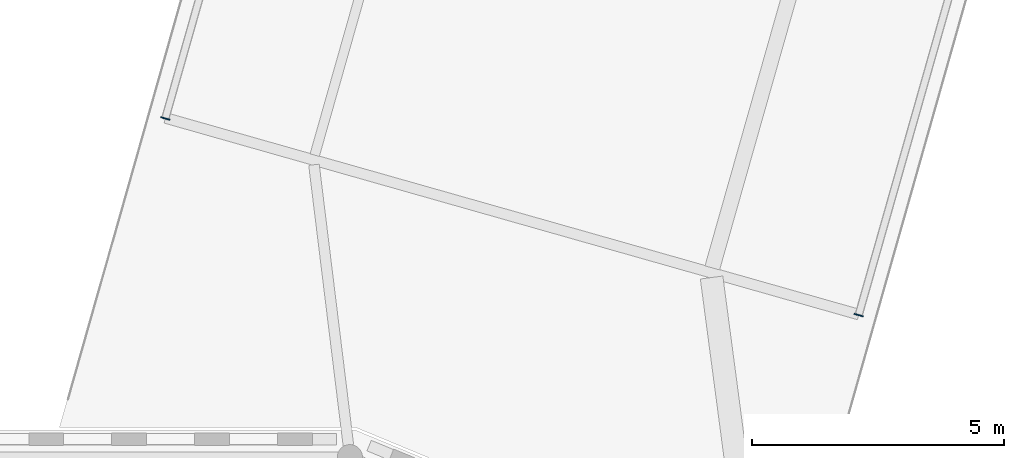
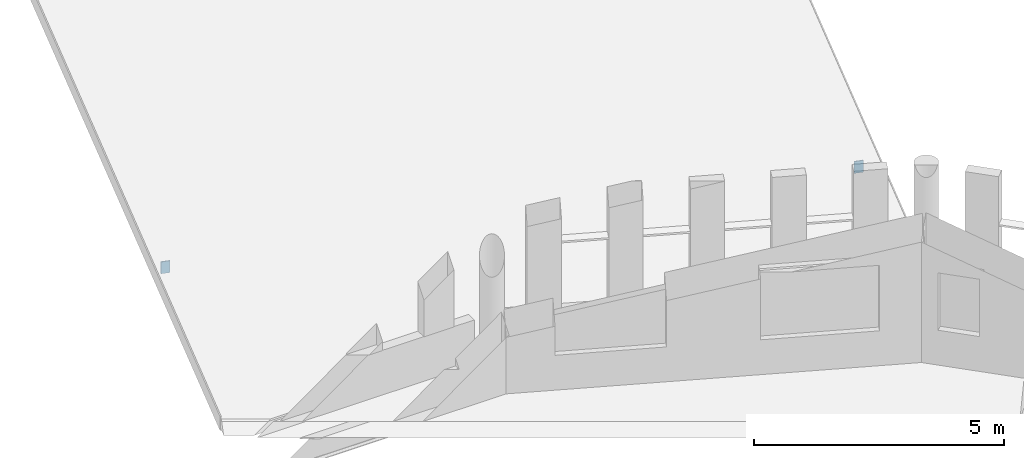
# One storey, part 33 of 68: 2 plates.
"""IFC4 building model written with IfcOpenShell, lengths in metres."""

from ifc_helpers import new_model, si_unit, direction, frame, origin, origin_2d, place, context, subcontext, project, spatial, rectangle, extrude, material, layer, layer_set, type_object, element, save


model = new_model("IFC4")

# Units and contexts
model_context = context("Model", 3, precision=1e-05, world=origin(), true_north=direction((0.0, 1.0)))
body_context = subcontext(model_context, "Body", "Model", "MODEL_VIEW")
ifc_project = project(units=[si_unit("LENGTHUNIT", "METRE"), si_unit("AREAUNIT", "SQUARE_METRE"), si_unit("VOLUMEUNIT", "CUBIC_METRE"), si_unit("PLANEANGLEUNIT", "RADIAN"), si_unit("MASSUNIT", "GRAM", prefix="KILO")], contexts=[model_context])

# Site, building, storey
site_placement = place(None, origin())
site = spatial("IfcSite", under=ifc_project, at=site_placement, CompositionType="ELEMENT")
building_placement = place(site_placement, origin())
building = spatial("IfcBuilding", under=site, at=building_placement, Name="Wrenclough Park School", CompositionType="ELEMENT")
storey_placement = place(building_placement, frame((0.0, 0.0, 12.60009765625)))
storey = spatial("IfcBuildingStorey", under=building, at=storey_placement, Name="L03", CompositionType="ELEMENT", Elevation=12.60009765625)

# Plates
ifc_material = material(Name="Structural steel S355", Category="steel")
ifc_layer = layer(ifc_material, 0.2900390625)
ifc_layer_set = layer_set([ifc_layer], Name="Structural steel S355")
plate_type = type_object("IfcPlateType", Name="STR-PL-EP250", PredefinedType="SHEET", material=ifc_layer_set)
for number, where, z_axis, x_axis, name in (
    (1, (156.21826171875, 55.239990234375, -0.5), (0.0, 0.0, 1.0), (0.272784025857, 0.962075296033, 0.0), "W14 eave fascia L1 start sealing end-cap plate"),
    (2, (169.975830078125, 51.338623046875, -0.5), (0.0, 0.0, 1.0), (0.272784025857, 0.962075296033, 0.0), "W14 eave fascia R1 start sealing end-cap plate"),
):
    element("IfcPlate", number, at=place(storey_placement, frame(where, z_axis=z_axis, x_axis=x_axis)), inside=storey, type_object=plate_type, Name=name, PredefinedType="SHEET", context=body_context, shape_type="SweptSolid", body=[
        extrude(rectangle(XDim=0.02197265625, YDim=0.18994140625, at=origin_2d()), origin(), (0.0, 0.0, 1.0), 0.2900390625),
    ])

save(model, "model.ifc")
